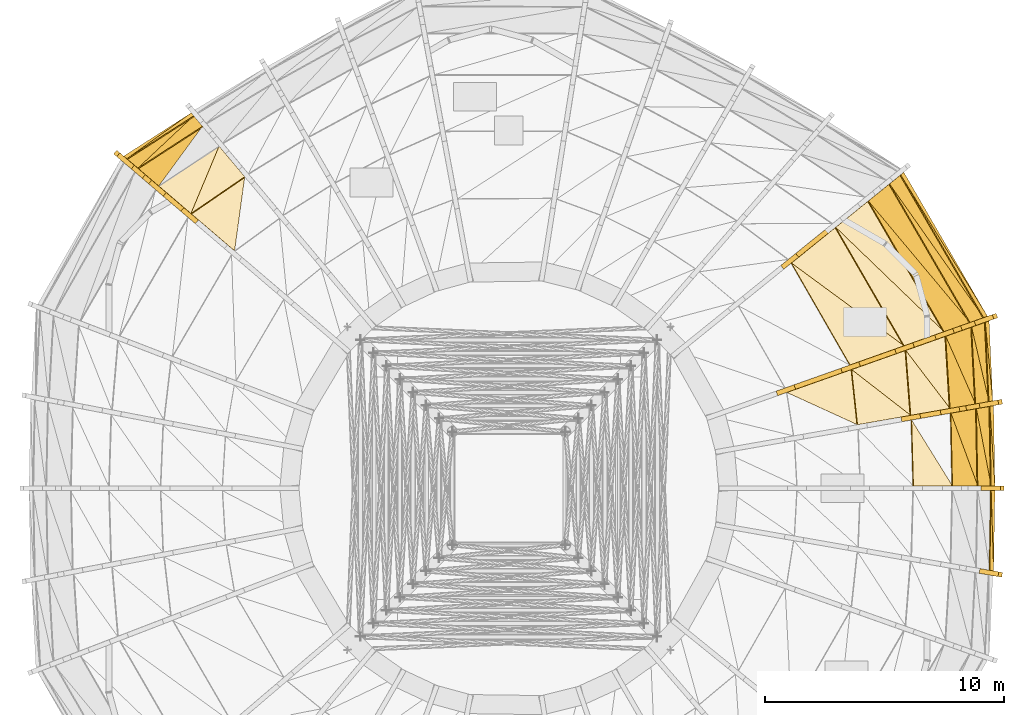
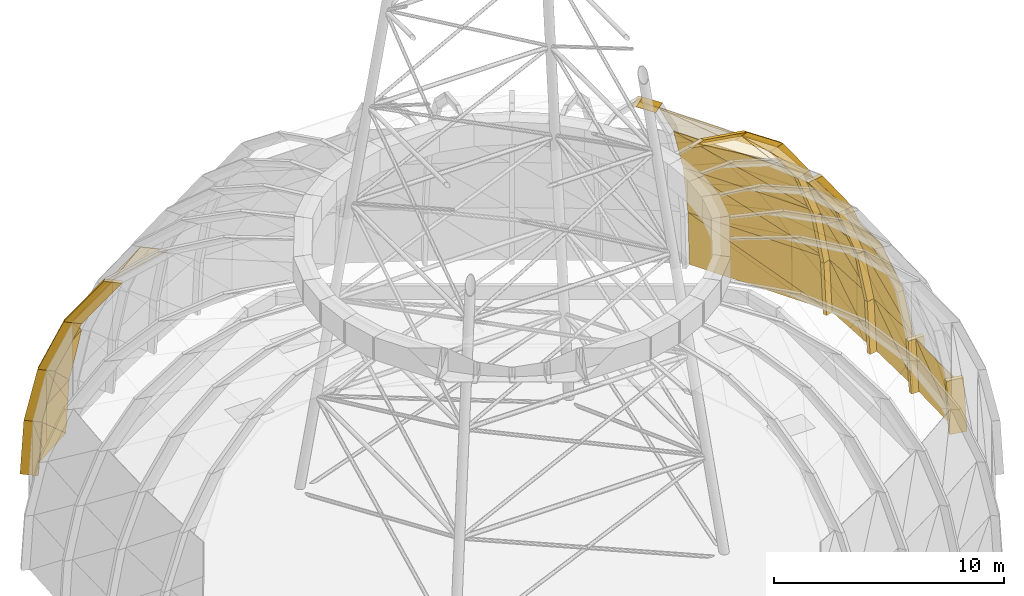
# One storey, part 24 of 27: 38 coverings, 17 shading devices.
"""IFC4 building model written with IfcOpenShell, lengths in metres."""

from ifc_helpers import new_model, si_unit, direction, frame, origin, place, context, subcontext, project, spatial, polyline, outline, extrude, material, layer, layer_set, type_object, element, save


model = new_model("IFC4")

# Units and contexts
model_context = context("Model", 3, precision=1e-05, world=origin(), true_north=direction((0.0, 1.0)))
body_context = subcontext(model_context, "Body", "Model", "MODEL_VIEW")
ifc_project = project(units=[si_unit("LENGTHUNIT", "METRE"), si_unit("AREAUNIT", "SQUARE_METRE"), si_unit("VOLUMEUNIT", "CUBIC_METRE"), si_unit("PLANEANGLEUNIT", "RADIAN"), si_unit("MASSUNIT", "GRAM", prefix="KILO")], contexts=[model_context])

# Site, building, storey
site_placement = place(None, origin())
site = spatial("IfcSite", under=ifc_project, at=site_placement, CompositionType="ELEMENT")
building_placement = place(site_placement, origin())
building = spatial("IfcBuilding", under=site, at=building_placement, Name="Ayvan Gate Tower", CompositionType="ELEMENT")
storey_placement = place(building_placement, frame((0.0, 0.0, 267.699951171875)))
storey = spatial("IfcBuildingStorey", under=building, at=storey_placement, Name="Roof", CompositionType="ELEMENT", Elevation=267.699951171875)

# Shading devices
ifc_material_1 = material(Name="Bronze anodised aluminium", Category="aluminium")
ifc_layer_1 = layer(ifc_material_1, 0.199951171875)
ifc_layer_set_1 = layer_set([ifc_layer_1], Name="Bronze anodised aluminium")
shading_device_type = type_object("IfcShadingDeviceType", Name="Crown frame rib 800 x 200", PredefinedType="USERDEFINED", material=ifc_layer_set_1)
shading_device_1_placement = place(storey_placement, frame((-15.828125, 13.65234375, 0.0), z_axis=(0.649471059891, 0.760386131665, 0.000522623568), x_axis=(-0.76038623553, 0.649471148564, 6.0635e-08)))
element("IfcShadingDevice", 1, at=shading_device_1_placement, inside=storey, type_object=shading_device_type, Name="CROWN FRAME rib FD01.3.5", ObjectType="FIN", PredefinedType="USERDEFINED", context=body_context, shape_type="SweptSolid", body=[
    extrude(outline(polyline([(0.0, 0.0), (0.8000383552451378, 0.0), (0.6302725094016904, 2.870117541248885), (-0.16992440813557705, 2.87011763827895), (0.0, 0.0)])), origin(), (0.0, 0.0, -1.0), 0.199951171875),
])
shading_device_2_placement = place(storey_placement, frame((-15.698974609375, 13.5419921875, 2.8701171875), z_axis=(0.649546415417, 0.760321773085, 0.000505560762), x_axis=(-0.760321870287, 0.649546498385, 1.08755e-07)))
element("IfcShadingDevice", 2, at=shading_device_2_placement, inside=storey, type_object=shading_device_type, Name="CROWN FRAME rib FD02.3.5", ObjectType="FIN", PredefinedType="USERDEFINED", context=body_context, shape_type="SweptSolid", body=[
    extrude(outline(polyline([(0.0, 0.0), (0.8000383421183912, 2.710505431213761e-20), (0.1937096857722982, 2.7768558025536763), (-0.6063016115775622, 2.7768559765678558), (0.0, 0.0)])), origin(), (0.0, 0.0, -1.0), 0.199951171875),
])
shading_device_3_placement = place(storey_placement, frame((-15.238037109375, 13.148193359375, 5.64697265625), z_axis=(0.649458157949, 0.760397086715, 0.000609580717), x_axis=(-0.760397227969, 0.649458278643, -6.042e-08)))
element("IfcShadingDevice", 3, at=shading_device_3_placement, inside=storey, type_object=shading_device_type, Name="CROWN FRAME rib FD03.3.5", ObjectType="FIN", PredefinedType="USERDEFINED", context=body_context, shape_type="SweptSolid", body=[
    extrude(outline(polyline([(0.0, 0.0), (0.7998527128470838, 2.710505431213761e-20), (-0.3507091571620341, 2.6601567230521437), (-1.1507475138636025, 2.6601566263863266), (0.0, 0.0)])), origin(), (0.0, 0.0, -1.0), 0.199951171875),
])
shading_device_4_placement = place(storey_placement, frame((-14.363037109375, 12.40087890625, 8.30712890625), z_axis=(0.649382736988, 0.760461363052, 0.000759083443), x_axis=(-0.760461582144, 0.649382924078, 0.0)))
element("IfcShadingDevice", 4, at=shading_device_4_placement, inside=storey, type_object=shading_device_type, Name="CROWN FRAME rib FD04.3.5", ObjectType="FIN", PredefinedType="USERDEFINED", context=body_context, shape_type="SweptSolid", body=[
    extrude(outline(polyline([(0.0, 0.0), (0.8000383606296664, 0.0), (-0.9746230205642124, 2.3798834981536645), (-1.7746613811938787, 2.3798834981536645), (0.0, 0.0)])), origin(), (0.0, 0.0, -1.0), 0.199951171875),
])
shading_device_5_placement = place(storey_placement, frame((19.874267578125, -3.590087890625, 0.0), z_axis=(-0.17270597385, -0.984973292557, 0.000509456844), x_axis=(0.98497342038, -0.172705996262, 0.0)))
element("IfcShadingDevice", 5, at=shading_device_5_placement, inside=storey, type_object=shading_device_type, Name="CROWN FRAME rib FD01.1.2", ObjectType="FIN", PredefinedType="USERDEFINED", context=body_context, shape_type="SweptSolid", body=[
    extrude(outline(polyline([(0.0, 0.0), (0.8001088366384407, 0.0), (0.6402272701638497, 2.870117559964186), (-0.15988156647459098, 2.870117559964186), (0.0, 0.0)])), origin(), (0.0, 0.0, -1.0), 0.199951171875),
])
shading_device_6_placement = place(storey_placement, frame((19.95849609375, -0.099853515625, 0.0), z_axis=(0.0, -0.999999869757, 0.000510377613), x_axis=(1.0, 0.0, 0.0)))
element("IfcShadingDevice", 6, at=shading_device_6_placement, inside=storey, type_object=shading_device_type, Name="CROWN FRAME rib FD01.1.3", ObjectType="FIN", PredefinedType="USERDEFINED", context=body_context, shape_type="SweptSolid", body=[
    extrude(outline(polyline([(0.0, 0.0), (0.800048828125, 0.0), (0.643310546875, 2.8701175613117527), (-0.15673828125, 2.8701175613117527), (0.0, 0.0)])), origin(), (0.0, 0.0, -1.0), 0.199951171875),
])
shading_device_7_placement = place(storey_placement, frame((19.908935546875, 3.393310546875, 0.0), z_axis=(0.172757894161, -0.984964177485, 0.0005282777), x_axis=(0.984964314925, 0.172757918267, 0.0)))
element("IfcShadingDevice", 7, at=shading_device_7_placement, inside=storey, type_object=shading_device_type, Name="CROWN FRAME rib FD01.1.4", ObjectType="FIN", PredefinedType="USERDEFINED", context=body_context, shape_type="SweptSolid", body=[
    extrude(outline(polyline([(0.0, 0.0), (0.7998683657233193, 0.0), (0.6400119094986507, 2.8701175879924015), (-0.15985645622466868, 2.8701175879924015), (0.0, 0.0)])), origin(), (0.0, 0.0, -1.0), 0.199951171875),
])
shading_device_8_placement = place(storey_placement, frame((19.75146484375, 3.36572265625, 2.8701171875), z_axis=(0.17287996163, -0.984942764627, 0.000518918575), x_axis=(0.984942897243, 0.172879984873, -6.431e-08)))
element("IfcShadingDevice", 8, at=shading_device_8_placement, inside=storey, type_object=shading_device_type, Name="CROWN FRAME rib FD02.1.4", ObjectType="FIN", PredefinedType="USERDEFINED", context=body_context, shape_type="SweptSolid", body=[
    extrude(outline(polyline([(0.0, 0.0), (0.7998683595807392, 0.0), (0.2290394043333216, 2.7768558573506144), (-0.5711116268494969, 2.776855754452912), (0.0, 0.0)])), origin(), (0.0, 0.0, -1.0), 0.199951171875),
])
shading_device_9_placement = place(storey_placement, frame((19.18896484375, 3.266845703125, 5.64697265625), z_axis=(0.172879959701, -0.984942753639, 0.000539988702), x_axis=(0.984942897231, 0.172879984942, 6.6898e-08)))
element("IfcShadingDevice", 9, at=shading_device_9_placement, inside=storey, type_object=shading_device_type, Name="CROWN FRAME rib FD03.1.4", ObjectType="FIN", PredefinedType="USERDEFINED", context=body_context, shape_type="SweptSolid", body=[
    extrude(outline(polyline([(0.0, 0.0), (0.8001510311828253, 2.710505431213761e-20), (-0.2835621302427329, 2.660156656804352), (-1.0834304898234648, 2.6601567638422776), (0.0, 0.0)])), origin(), (0.0, 0.0, -1.0), 0.199951171875),
])
shading_device_10_placement = place(storey_placement, frame((18.121826171875, 3.07958984375, 8.30712890625), z_axis=(0.172731927536, -0.984968721064, 0.000547480172), x_axis=(0.98496886868, 0.172731953415, -1.4428e-08)))
element("IfcShadingDevice", 10, at=shading_device_10_placement, inside=storey, type_object=shading_device_type, Name="CROWN FRAME rib FD04.1.4", ObjectType="FIN", PredefinedType="USERDEFINED", context=body_context, shape_type="SweptSolid", body=[
    extrude(outline(polyline([(0.0, 0.0), (0.8001088363606061, -1.3552527156068805e-20), (-0.8710217132789997, 2.379883156599636), (-1.6708900787244008, 2.3798831335153805), (0.0, 0.0)])), origin(), (0.0, 0.0, -1.0), 0.199951171875),
])
shading_device_11_placement = place(storey_placement, frame((19.7373046875, 6.88134765625, 0.0), z_axis=(0.33384144022, -0.942629075722, 0.000564264763), x_axis=(0.942629225786, 0.333841493367, 0.0)))
element("IfcShadingDevice", 11, at=shading_device_11_placement, inside=storey, type_object=shading_device_type, Name="CROWN FRAME rib FD01.1.5", ObjectType="FIN", PredefinedType="USERDEFINED", context=body_context, shape_type="SweptSolid", body=[
    extrude(outline(polyline([(0.0, 0.0), (0.8000498711419429, -2.710505431213761e-20), (0.6302016758127602, 2.870117644415192), (-0.16984819532918274, 2.870117644415192), (0.0, 0.0)])), origin(), (0.0, 0.0, -1.0), 0.199951171875),
])
shading_device_12_placement = place(storey_placement, frame((19.5771484375, 6.82470703125, 2.8701171875), z_axis=(0.333841440405, -0.942629076245, 0.000563281618), x_axis=(0.942629225786, 0.333841493367, 0.0)))
element("IfcShadingDevice", 12, at=shading_device_12_placement, inside=storey, type_object=shading_device_type, Name="CROWN FRAME rib FD02.1.5", ObjectType="FIN", PredefinedType="USERDEFINED", context=body_context, shape_type="SweptSolid", body=[
    extrude(outline(polyline([(0.0, 0.0), (0.8000498711419429, -2.710505431213761e-20), (0.19376768728980487, 2.7768559092790377), (-0.6062821838521381, 2.7768559092790377), (0.0, 0.0)])), origin(), (0.0, 0.0, -1.0), 0.199951171875),
])
shading_device_13_placement = place(storey_placement, frame((19.005615234375, 6.62255859375, 5.64697265625), z_axis=(0.333705864231, -0.942677105267, 0.000520943833), x_axis=(0.942677233193, 0.333705909475, -7.4936e-08)))
element("IfcShadingDevice", 13, at=shading_device_13_placement, inside=storey, type_object=shading_device_type, Name="CROWN FRAME rib FD03.1.5", ObjectType="FIN", PredefinedType="USERDEFINED", context=body_context, shape_type="SweptSolid", body=[
    extrude(outline(polyline([(0.0, 0.0), (0.7999683916970382, 2.710505431213761e-20), (-0.3506952504407617, 2.6601565846802386), (-1.1507451133071054, 2.660156464781094), (0.0, 0.0)])), origin(), (0.0, 0.0, -1.0), 0.199951171875),
])
shading_device_14_placement = place(storey_placement, frame((17.9208984375, 6.238525390625, 8.30712890625), z_axis=(0.333570262874, -0.942725107061, 0.00050223868), x_axis=(0.942725225959, 0.333570304944, 0.0)))
element("IfcShadingDevice", 14, at=shading_device_14_placement, inside=storey, type_object=shading_device_type, Name="CROWN FRAME rib FD04.1.5", ObjectType="FIN", PredefinedType="USERDEFINED", context=body_context, shape_type="SweptSolid", body=[
    extrude(outline(polyline([(0.0, 0.0), (0.7999683999734714, 2.710505431213761e-20), (-0.9746113941397849, 2.3798831126552704), (-1.7745797941132564, 2.3798831126552704), (0.0, 0.0)])), origin(), (0.0, 0.0, -1.0), 0.199951171875),
])
shading_device_15_placement = place(storey_placement, frame((16.248046875, 5.646240234375, 10.68701171875), z_axis=(0.333570249809, -0.942725070138, 0.000574957337), x_axis=(0.942725225959, 0.333570304944, 0.0)))
element("IfcShadingDevice", 15, at=shading_device_15_placement, inside=storey, type_object=shading_device_type, Name="CROWN FRAME rib FD05.1.5", ObjectType="FIN", PredefinedType="USERDEFINED", context=body_context, shape_type="SweptSolid", body=[
    extrude(outline(polyline([(0.0, 0.0), (0.7999683999734712, 0.0), (-1.6037007584235754, 1.8659671052969398), (-2.4036691583970464, 1.8659671052969398), (0.0, 0.0)])), origin(), (0.0, 0.0, -1.0), 0.199951171875),
])
shading_device_16_placement = place(storey_placement, frame((13.982177734375, 4.843994140625, 12.552978515625), z_axis=(0.333705613699, -0.942676397544, 0.001331502545), x_axis=(0.942677233266, 0.333705909272, -1.91532e-07)))
element("IfcShadingDevice", 16, at=shading_device_16_placement, inside=storey, type_object=shading_device_type, Name="CROWN FRAME rib FD06.1.5", ObjectType="FIN", PredefinedType="USERDEFINED", context=body_context, shape_type="SweptSolid", body=[
    extrude(outline(polyline([(0.0, 0.0), (0.7999683916970507, 0.0), (-2.077579478844798, 1.1201177825048954), (-2.8776293417111045, 1.1201174760495607), (0.0, 0.0)])), origin(), (0.0, 0.0, -1.0), 0.199951171875),
])
shading_device_17_placement = place(storey_placement, frame((13.37890625, 10.68212890625, 10.68701171875), z_axis=(0.628557027402, -0.777763040217, 0.000846508653), x_axis=(0.77776331888, 0.628557252606, 0.0)))
element("IfcShadingDevice", 17, at=shading_device_17_placement, inside=storey, type_object=shading_device_type, Name="CROWN FRAME rib FD05.2.1", ObjectType="FIN", PredefinedType="USERDEFINED", context=body_context, shape_type="SweptSolid", body=[
    extrude(outline(polyline([(0.0, 0.0), (0.8001334570789522, -5.421010862427522e-20), (-1.5804702242262874, 1.8659674654297103), (-2.3806036813052396, 1.8659674654297103), (0.0, 0.0)])), origin(), (0.0, 0.0, -1.0), 0.199951171875),
])

# Coverings
ifc_material_2 = material(Name="Pale metal cladding")
ifc_layer_2 = layer(ifc_material_2, 0.0400390625)
ifc_layer_set_2 = layer_set([ifc_layer_2], Name="Pale metal cladding")
covering_type = type_object("IfcCoveringType", Name="Dome cladding panel 40", PredefinedType="CLADDING", material=ifc_layer_set_2)
covering_1_placement = place(storey_placement, frame((20.32275390625, -3.46240234375, 0.0009765625), z_axis=(0.998380396887, -0.016528516591, 0.054437039333), x_axis=(0.016553061387, 0.999862988693, 0.0)))
element("IfcCovering", 18, at=covering_1_placement, inside=storey, type_object=covering_type, Name="Dome cladding panel 15.1A", PredefinedType="CLADDING", context=body_context, shape_type="SweptSolid", body=[
    extrude(outline(polyline([(0.0, 0.0), (3.3627654243848886, 0.0), (3.3601749672684136, 2.8743793026608015), (0.0, 0.0)])), origin(), (0.0, 0.0, -1.0), 0.0400390625),
])
covering_2_placement = place(storey_placement, frame((20.32275390625, -3.46240234375, 0.001220703125), z_axis=(0.998345778374, -0.016957040822, 0.054937833673), x_axis=(-0.022802647162, 0.760382703916, 0.649074866921)))
element("IfcCovering", 19, at=covering_2_placement, inside=storey, type_object=covering_type, Name="Dome cladding panel 15.1B", PredefinedType="CLADDING", context=body_context, shape_type="SweptSolid", body=[
    extrude(outline(polyline([(0.0, 0.0), (4.421858453888148, 0.0), (1.8874890352741263, 2.168067325005079), (0.0, 0.0)])), origin(), (0.0, 0.0, -1.0), 0.0400390625),
])
covering_3_placement = place(storey_placement, frame((20.37841796875, 0.100341796875, 0.001220703125), z_axis=(0.998353176941, 0.016528065956, 0.054934116245), x_axis=(-0.016553061387, 0.999862988693, 0.0)))
element("IfcCovering", 20, at=covering_3_placement, inside=storey, type_object=covering_type, Name="Dome cladding panel 16.1A", PredefinedType="CLADDING", context=body_context, shape_type="SweptSolid", body=[
    extrude(outline(polyline([(0.0, 0.0), (3.3627654243848886, 0.0), (3.337787935828317, 2.8744576721705504), (0.0, 0.0)])), origin(), (0.0, 0.0, -1.0), 0.0400390625),
])
covering_4_placement = place(storey_placement, frame((20.37841796875, 0.100341796875, 0.0009765625), z_axis=(0.998373223943, 0.016957506988, 0.054436648226), x_axis=(-0.048385596833, 0.757043375879, 0.651570534214)))
element("IfcCovering", 21, at=covering_4_placement, inside=storey, type_object=covering_type, Name="Dome cladding panel 16.1B", PredefinedType="CLADDING", context=body_context, shape_type="SweptSolid", body=[
    extrude(outline(polyline([(0.0, 0.0), (4.404921703465476, 0.0), (1.877655851512578, 2.1763436285002062), (0.0, 0.0)])), origin(), (0.0, 0.0, -1.0), 0.0400390625),
])
covering_5_placement = place(storey_placement, frame((20.221435546875, 0.100341796875, 2.8740234375), z_axis=(0.979859681637, 0.016643051917, 0.198992495146), x_axis=(-0.016982688471, 0.999855783747, 0.0)))
element("IfcCovering", 22, at=covering_5_placement, inside=storey, type_object=covering_type, Name="Dome cladding panel 16.2A", PredefinedType="CLADDING", context=body_context, shape_type="SweptSolid", body=[
    extrude(outline(polyline([(0.0, 0.0), (3.335197786602865, 0.0), (3.24612781465843, 2.833523057525345), (0.0, 0.0)])), origin(), (0.0, 0.0, -1.0), 0.0400390625),
])
covering_6_placement = place(storey_placement, frame((20.221435546875, 0.100341796875, 2.8740234375), z_axis=(0.98016702809, 0.018117006555, 0.197343282427), x_axis=(-0.143633756408, 0.751031732225, 0.644453785163)))
element("IfcCovering", 23, at=covering_6_placement, inside=storey, type_object=covering_type, Name="Dome cladding panel 16.2B", PredefinedType="CLADDING", context=body_context, shape_type="SweptSolid", body=[
    extrude(outline(polyline([(0.0, 0.0), (4.308851204976437, 4.440892098500626e-16), (1.869858069974524, 2.1277052921268393), (0.0, 0.0)])), origin(), (0.0, 0.0, -1.0), 0.0400390625),
])
covering_7_placement = place(storey_placement, frame((19.661376953125, 0.100341796875, 5.654541015625), z_axis=(0.9275515807, 0.01714448414, 0.373301663276), x_axis=(-0.01848043451, 0.999829222188, 0.0)))
element("IfcCovering", 24, at=covering_7_placement, inside=storey, type_object=covering_type, Name="Dome cladding panel 16.3A", PredefinedType="CLADDING", context=body_context, shape_type="SweptSolid", body=[
    extrude(outline(polyline([(0.0, 0.0), (3.2366367301152312, 0.0), (3.068889937294203, 2.867443719225098), (0.0, 0.0)])), origin(), (0.0, 0.0, -1.0), 0.0400390625),
])
covering_8_placement = place(storey_placement, frame((19.661376953125, 0.1005859375, 5.654296875), z_axis=(0.928653471602, 0.020079797977, 0.37040455099), x_axis=(-0.268319747027, 0.72584676801, 0.633364810141)))
element("IfcCovering", 25, at=covering_8_placement, inside=storey, type_object=covering_type, Name="Dome cladding panel 16.3B", PredefinedType="CLADDING", context=body_context, shape_type="SweptSolid", body=[
    extrude(outline(polyline([(0.0, 0.0), (4.2000379677032775, 4.440892098500626e-16), (1.9695460429393128, 2.0792102495790608), (0.0, 0.0)])), origin(), (0.0, 0.0, -1.0), 0.0400390625),
])
covering_9_placement = place(storey_placement, frame((18.59814453125, 0.1005859375, 8.318359375), z_axis=(0.823821731058, 0.022592421853, 0.56639856807), x_axis=(-0.425186785841, 0.685440876662, 0.591089673186)))
element("IfcCovering", 26, at=covering_9_placement, inside=storey, type_object=covering_type, Name="Dome cladding panel 16.4B", PredefinedType="CLADDING", context=body_context, shape_type="SweptSolid", body=[
    extrude(outline(polyline([(0.0, 0.0), (4.026263561113431, 2.220446049250313e-16), (2.102427727765565, 1.980123732906931), (0.0, 0.0)])), origin(), (0.0, 0.0, -1.0), 0.0400390625),
])
covering_10_placement = place(storey_placement, frame((20.288330078125, 3.660400390625, 0.001220703125), z_axis=(0.997353594636, 0.045789443991, 0.056472418807), x_axis=(-0.045862633434, 0.998947755818, 0.0)))
element("IfcCovering", 27, at=covering_10_placement, inside=storey, type_object=covering_type, Name="Dome cladding panel 17.1A", PredefinedType="CLADDING", context=body_context, shape_type="SweptSolid", body=[
    extrude(outline(polyline([(0.0, 0.0), (3.3590032416172177, 0.0), (3.3097562068392956, 2.874704757479217), (0.0, 0.0)])), origin(), (0.0, 0.0, -1.0), 0.0400390625),
])
covering_11_placement = place(storey_placement, frame((20.288330078125, 3.660400390625, 0.001220703125), z_axis=(0.997373695452, 0.046922314773, 0.055172529358), x_axis=(-0.071618010579, 0.752490325768, 0.65469777011)))
element("IfcCovering", 28, at=covering_11_placement, inside=storey, type_object=covering_type, Name="Dome cladding panel 17.1B", PredefinedType="CLADDING", context=body_context, shape_type="SweptSolid", body=[
    extrude(outline(polyline([(0.0, 0.0), (4.383881110544045, 0.0), (1.8695774402888508, 2.183531767297586), (0.0, 0.0)])), origin(), (0.0, 0.0, -1.0), 0.0400390625),
])
covering_12_placement = place(storey_placement, frame((20.13037109375, 3.6328125, 2.874267578125), z_axis=(0.97776492896, 0.045999803263, 0.204596583049), x_axis=(-0.046993894182, 0.998895176637, 0.0)))
element("IfcCovering", 29, at=covering_12_placement, inside=storey, type_object=covering_type, Name="Dome cladding panel 17.2A", PredefinedType="CLADDING", context=body_context, shape_type="SweptSolid", body=[
    extrude(outline(polyline([(0.0, 0.0), (3.3300951825820917, 0.0), (3.154784783374744, 2.8368654385097205), (0.0, 0.0)])), origin(), (0.0, 0.0, -1.0), 0.0400390625),
])
covering_13_placement = place(storey_placement, frame((20.13037109375, 3.6328125, 2.8740234375), z_axis=(0.978505635628, 0.050255800391, 0.200002688909), x_axis=(-0.171595438159, 0.73632972055, 0.654502519657)))
element("IfcCovering", 30, at=covering_13_placement, inside=storey, type_object=covering_type, Name="Dome cladding panel 17.2B", PredefinedType="CLADDING", context=body_context, shape_type="SweptSolid", body=[
    extrude(outline(polyline([(0.0, 0.0), (4.242696376789621, 0.0), (1.8411752957221839, 2.155732526685163), (0.0, 0.0)])), origin(), (0.0, 0.0, -1.0), 0.0400390625),
])
covering_14_placement = place(storey_placement, frame((19.56689453125, 3.533935546875, 5.654541015625), z_axis=(0.9225267678, 0.047380739987, 0.383013613559), x_axis=(-0.051292140222, 0.998683691842, 0.0)))
element("IfcCovering", 31, at=covering_14_placement, inside=storey, type_object=covering_type, Name="Dome cladding panel 17.3A", PredefinedType="CLADDING", context=body_context, shape_type="SweptSolid", body=[
    extrude(outline(polyline([(0.0, 0.0), (3.227148312275051, 0.0), (2.899258061234547, 2.8797588941110797), (0.0, 0.0)])), origin(), (0.0, 0.0, -1.0), 0.0400390625),
])
covering_15_placement = place(storey_placement, frame((19.56689453125, 3.5341796875, 5.654541015625), z_axis=(0.925282335853, 0.055987232908, 0.375124017773), x_axis=(-0.305952062249, 0.694710130802, 0.650977088512)))
element("IfcCovering", 32, at=covering_15_placement, inside=storey, type_object=covering_type, Name="Dome cladding panel 17.3B", PredefinedType="CLADDING", context=body_context, shape_type="SweptSolid", body=[
    extrude(outline(polyline([(0.0, 0.0), (4.086405338906723, -2.220446049250313e-16), (1.928105505417453, 2.12901153972316), (0.0, 0.0)])), origin(), (0.0, 0.0, -1.0), 0.0400390625),
])
covering_16_placement = place(storey_placement, frame((18.497314453125, 3.3466796875, 8.31884765625), z_axis=(0.811298279259, 0.049090254897, 0.582567806307), x_axis=(-0.060397804729, 0.998174386159, 0.0)))
element("IfcCovering", 33, at=covering_16_placement, inside=storey, type_object=covering_type, Name="Dome cladding panel 17.4A", PredefinedType="CLADDING", context=body_context, shape_type="SweptSolid", body=[
    extrude(outline(polyline([(0.0, 0.0), (3.031657683102462, 0.0), (2.5417488133207473, 2.928069892700605), (0.0, 0.0)])), origin(), (0.0, 0.0, -1.0), 0.0400390625),
])
covering_17_placement = place(storey_placement, frame((18.49755859375, 3.346923828125, 8.318603515625), z_axis=(0.81724801545, 0.063163972861, 0.572814100538), x_axis=(-0.478725552839, 0.627764535289, 0.613786227683)))
element("IfcCovering", 34, at=covering_17_placement, inside=storey, type_object=covering_type, Name="Dome cladding panel 17.4B", PredefinedType="CLADDING", context=body_context, shape_type="SweptSolid", body=[
    extrude(outline(polyline([(0.0, 0.0), (3.8773806011993663, 2.220446049250313e-16), (2.067292884250226, 2.045008036142673), (0.0, 0.0)])), origin(), (0.0, 0.0, -1.0), 0.0400390625),
])
covering_18_placement = place(storey_placement, frame((16.847900390625, 3.057861328125, 10.70263671875), z_axis=(0.62471493792, 0.048283356629, 0.77935868752), x_axis=(-0.077058807993, 0.997026549351, 0.0)))
element("IfcCovering", 35, at=covering_18_placement, inside=storey, type_object=covering_type, Name="Dome cladding panel 17.5A", PredefinedType="CLADDING", context=body_context, shape_type="SweptSolid", body=[
    extrude(outline(polyline([(0.0, 0.0), (2.7310209466311797, 0.0), (2.1057654670928905, 2.9780277751762325), (0.0, 0.0)])), origin(), (0.0, 0.0, -1.0), 0.0400390625),
])
covering_19_placement = place(storey_placement, frame((16.84814453125, 3.058349609375, 10.702392578125), z_axis=(0.633343259565, 0.067614576074, 0.77091152843), x_axis=(-0.67894305927, 0.526594207559, 0.511600295968)))
element("IfcCovering", 36, at=covering_19_placement, inside=storey, type_object=covering_type, Name="Dome cladding panel 17.5B", PredefinedType="CLADDING", context=body_context, shape_type="SweptSolid", body=[
    extrude(outline(polyline([(0.0, 0.0), (3.6473137556456585, 0.0), (2.262240860501608, 1.8675905391431695), (0.0, 0.0)])), origin(), (0.0, 0.0, -1.0), 0.0400390625),
])
covering_20_placement = place(storey_placement, frame((14.61328125, 2.666259765625, 12.571533203125), z_axis=(0.369435504852, 0.039440263506, 0.928419018208), x_axis=(-0.106154957192, 0.994349599016, 0.0)))
element("IfcCovering", 37, at=covering_20_placement, inside=storey, type_object=covering_type, Name="Dome cladding panel 17.6A", PredefinedType="CLADDING", context=body_context, shape_type="SweptSolid", body=[
    extrude(outline(polyline([(0.0, 0.0), (2.3251497471689424, 0.0), (1.6580624063169156, 3.014837668861436), (0.0, 0.0)])), origin(), (0.0, 0.0, -1.0), 0.0400390625),
])
covering_21_placement = place(storey_placement, frame((20.06494140625, 7.21337890625, 0.001220703125), z_axis=(0.863193432653, 0.501550448549, 0.057829450844), x_axis=(-0.502391211813, 0.864640428324, 0.0)))
element("IfcCovering", 38, at=covering_21_placement, inside=storey, type_object=covering_type, Name="Dome cladding panel 18.1A", PredefinedType="CLADDING", context=body_context, shape_type="SweptSolid", body=[
    extrude(outline(polyline([(0.0, 0.0), (6.978831303543279, 2.7755575615628914e-17), (6.95317026449719, 2.874928446470915), (0.0, 0.0)])), origin(), (0.0, 0.0, -1.0), 0.0400390625),
])
covering_22_placement = place(storey_placement, frame((20.06494140625, 7.21337890625, 0.001220703125), z_axis=(0.863230694788, 0.501459038323, 0.058065484235), x_axis=(-0.483376380216, 0.787932378383, 0.381457523382)))
element("IfcCovering", 39, at=covering_22_placement, inside=storey, type_object=covering_type, Name="Dome cladding panel 18.1B", PredefinedType="CLADDING", context=body_context, shape_type="SweptSolid", body=[
    extrude(outline(polyline([(0.0, 0.0), (7.524080694637425, 0.0), (1.1276145601833778, 2.6447903997216513), (0.0, 0.0)])), origin(), (0.0, 0.0, -1.0), 0.0400390625),
])
covering_23_placement = place(storey_placement, frame((19.904296875, 7.156494140625, 2.874267578125), z_axis=(0.845595517981, 0.491214593986, 0.208989096905), x_axis=(-0.50230654177, 0.864689619514, 0.0)))
element("IfcCovering", 40, at=covering_23_placement, inside=storey, type_object=covering_type, Name="Dome cladding panel 18.2A", PredefinedType="CLADDING", context=body_context, shape_type="SweptSolid", body=[
    extrude(outline(polyline([(0.0, 0.0), (6.921682979426124, -1.1102230246251565e-16), (6.829911070890487, 2.8395586869368485), (0.0, 0.0)])), origin(), (0.0, 0.0, -1.0), 0.0400390625),
])
covering_24_placement = place(storey_placement, frame((19.904296875, 7.156494140625, 2.874267578125), z_axis=(0.845617866657, 0.490840004712, 0.209777294685), x_axis=(-0.533192070678, 0.758133506958, 0.37541950055)))
element("IfcCovering", 41, at=covering_24_placement, inside=storey, type_object=covering_type, Name="Dome cladding panel 18.2B", PredefinedType="CLADDING", context=body_context, shape_type="SweptSolid", body=[
    extrude(outline(polyline([(0.0, 0.0), (7.3966734937288505, 0.0), (1.1939671613661833, 2.5793183023744812), (0.0, 0.0)])), origin(), (0.0, 0.0, -1.0), 0.0400390625),
])
covering_25_placement = place(storey_placement, frame((19.331787109375, 6.953857421875, 5.65478515625), z_axis=(0.796421060317, 0.46228365366, 0.389881159127), x_axis=(-0.502010134762, 0.864861737271, 0.0)))
element("IfcCovering", 42, at=covering_25_placement, inside=storey, type_object=covering_type, Name="Dome cladding panel 18.3A", PredefinedType="CLADDING", context=body_context, shape_type="SweptSolid", body=[
    extrude(outline(polyline([(0.0, 0.0), (6.71762225422775, 0.0), (6.543133597530055, 2.8887575560514867), (0.0, 0.0)])), origin(), (0.0, 0.0, -1.0), 0.0400390625),
])
covering_26_placement = place(storey_placement, frame((19.331787109375, 6.953857421875, 5.65478515625), z_axis=(0.796243155616, 0.461399414609, 0.39128942911), x_axis=(-0.595430941995, 0.712134587414, 0.371922468699)))
element("IfcCovering", 43, at=covering_26_placement, inside=storey, type_object=covering_type, Name="Dome cladding panel 18.3B", PredefinedType="CLADDING", context=body_context, shape_type="SweptSolid", body=[
    extrude(outline(polyline([(0.0, 0.0), (7.152448356525977, 0.0), (1.3617624971254465, 2.5585398582711076), (0.0, 0.0)])), origin(), (0.0, 0.0, -1.0), 0.0400390625),
])
covering_27_placement = place(storey_placement, frame((18.2451171875, 6.568603515625, 8.31884765625), z_axis=(0.698950919702, 0.405021434616, 0.589427900043), x_axis=(-0.501375230419, 0.865229956903, 0.0)))
element("IfcCovering", 44, at=covering_27_placement, inside=storey, type_object=covering_type, Name="Dome cladding panel 18.4A", PredefinedType="CLADDING", context=body_context, shape_type="SweptSolid", body=[
    extrude(outline(polyline([(0.0, 0.0), (6.330732100525436, 0.0), (6.060443914512502, 2.94605221232121), (0.0, 0.0)])), origin(), (0.0, 0.0, -1.0), 0.0400390625),
])
covering_28_placement = place(storey_placement, frame((18.2451171875, 6.568603515625, 8.31884765625), z_axis=(0.698342162596, 0.403388913668, 0.591266106141), x_axis=(-0.673885068133, 0.648958566688, 0.35317374431)))
element("IfcCovering", 45, at=covering_28_placement, inside=storey, type_object=covering_type, Name="Dome cladding panel 18.4B", PredefinedType="CLADDING", context=body_context, shape_type="SweptSolid", body=[
    extrude(outline(polyline([(0.0, 0.0), (6.738560979814186, 2.220446049250313e-16), (1.5834532870098554, 2.511125633169988), (0.0, 0.0)])), origin(), (0.0, 0.0, -1.0), 0.0400390625),
])
covering_29_placement = place(storey_placement, frame((16.569091796875, 5.974365234375, 10.70263671875), z_axis=(0.538186157923, 0.310876732387, 0.783397291724), x_axis=(-0.500186799235, 0.865917528331, 0.0)))
element("IfcCovering", 46, at=covering_29_placement, inside=storey, type_object=covering_type, Name="Dome cladding panel 18.5A", PredefinedType="CLADDING", context=body_context, shape_type="SweptSolid", body=[
    extrude(outline(polyline([(0.0, 0.0), (5.734185841945982, 0.0), (5.364729870523378, 3.002257365617253), (0.0, 0.0)])), origin(), (0.0, 0.0, -1.0), 0.0400390625),
])
covering_30_placement = place(storey_placement, frame((16.569091796875, 5.974365234375, 10.70263671875), z_axis=(0.537165926226, 0.308636289821, 0.78498178852), x_axis=(-0.767765489124, 0.564277651423, 0.303524110763)))
element("IfcCovering", 47, at=covering_30_placement, inside=storey, type_object=covering_type, Name="Dome cladding panel 18.5B", PredefinedType="CLADDING", context=body_context, shape_type="SweptSolid", body=[
    extrude(outline(polyline([(0.0, 0.0), (6.147672394743302, -6.661338147750939e-16), (1.8533325001327876, 2.4134524002692306), (0.0, 0.0)])), origin(), (0.0, 0.0, -1.0), 0.0400390625),
])
covering_31_placement = place(storey_placement, frame((-13.31396484375, 15.739990234375, 0.001220703125), z_axis=(-0.538277515818, 0.840868138758, 0.056551650611), x_axis=(-0.842215958106, -0.539140315605, 0.0)))
element("IfcCovering", 48, at=covering_31_placement, inside=storey, type_object=covering_type, Name="Dome cladding panel 27.1A", PredefinedType="CLADDING", context=body_context, shape_type="SweptSolid", body=[
    extrude(outline(polyline([(0.0, 0.0), (3.3591165487540624, -1.3877787807814457e-17), (3.309839005007791, 2.874717670382611), (0.0, 0.0)])), origin(), (0.0, 0.0, -1.0), 0.0400390625),
])
covering_32_placement = place(storey_placement, frame((-13.31396484375, 15.739990234375, 0.001220703125), z_axis=(-0.539346215722, 0.840276222892, 0.055150057375), x_axis=(-0.615871505145, -0.438277307667, 0.654687170131)))
element("IfcCovering", 49, at=covering_32_placement, inside=storey, type_object=covering_type, Name="Dome cladding panel 27.1B", PredefinedType="CLADDING", context=body_context, shape_type="SweptSolid", body=[
    extrude(outline(polyline([(0.0, 0.0), (4.383952089551275, 0.0), (1.8695926631720856, 2.1835134100885143), (0.0, 0.0)])), origin(), (0.0, 0.0, -1.0), 0.0400390625),
])
covering_33_placement = place(storey_placement, frame((-13.211181640625, 15.616943359375, 2.874267578125), z_axis=(-0.528742748196, 0.823756515547, 0.20458814561), x_axis=(-0.841557007469, -0.540168310047, 0.0)))
element("IfcCovering", 50, at=covering_33_placement, inside=storey, type_object=covering_type, Name="Dome cladding panel 27.2A", PredefinedType="CLADDING", context=body_context, shape_type="SweptSolid", body=[
    extrude(outline(polyline([(0.0, 0.0), (3.3301252434492996, -5.551115123125783e-17), (3.154937707805847, 2.8368603274783957), (0.0, 0.0)])), origin(), (0.0, 0.0, -1.0), 0.0400390625),
])
covering_34_placement = place(storey_placement, frame((-13.21142578125, 15.616943359375, 2.8740234375), z_axis=(-0.532808900423, 0.822266156426, 0.199982608309), x_axis=(-0.551887680792, -0.51678691077, 0.6544855053)))
element("IfcCovering", 51, at=covering_34_placement, inside=storey, type_object=covering_type, Name="Dome cladding panel 27.2B", PredefinedType="CLADDING", context=body_context, shape_type="SweptSolid", body=[
    extrude(outline(polyline([(0.0, 0.0), (4.242806672210748, -4.440892098500626e-16), (1.8412553153655498, 2.1556422262630397), (0.0, 0.0)])), origin(), (0.0, 0.0, -1.0), 0.0400390625),
])
covering_35_placement = place(storey_placement, frame((-12.843994140625, 15.178466796875, 5.654541015625), z_axis=(-0.502326045637, 0.775222986123, 0.383011573796), x_axis=(-0.83921884109, -0.543793836632, 0.0)))
element("IfcCovering", 52, at=covering_35_placement, inside=storey, type_object=covering_type, Name="Dome cladding panel 27.3A", PredefinedType="CLADDING", context=body_context, shape_type="SweptSolid", body=[
    extrude(outline(polyline([(0.0, 0.0), (3.2271105229312007, -1.1102230246251565e-16), (2.899179030612418, 2.8797562574997833), (0.0, 0.0)])), origin(), (0.0, 0.0, -1.0), 0.0400390625),
])
covering_36_placement = place(storey_placement, frame((-12.147216796875, 14.345947265625, 8.31884765625), z_axis=(-0.448192833613, 0.678082308076, 0.582518297887), x_axis=(-0.8342367555, -0.551406416151, 0.0)))
element("IfcCovering", 53, at=covering_36_placement, inside=storey, type_object=covering_type, Name="Dome cladding panel 27.4A", PredefinedType="CLADDING", context=body_context, shape_type="SweptSolid", body=[
    extrude(outline(polyline([(0.0, 0.0), (3.031576728909309, 0.0), (2.54143101186834, 2.927942068869292), (0.0, 0.0)])), origin(), (0.0, 0.0, -1.0), 0.0400390625),
])
covering_37_placement = place(storey_placement, frame((-12.1474609375, 14.345703125, 8.318603515625), z_axis=(-0.463263279857, 0.67620903931, 0.572824989584), x_axis=(-0.304272492216, -0.728440436662, 0.613834489677)))
element("IfcCovering", 54, at=covering_37_placement, inside=storey, type_object=covering_type, Name="Dome cladding panel 27.4B", PredefinedType="CLADDING", context=body_context, shape_type="SweptSolid", body=[
    extrude(outline(polyline([(0.0, 0.0), (3.8770757468407453, 2.220446049250313e-16), (2.067254702225889, 2.0451160286406984), (0.0, 0.0)])), origin(), (0.0, 0.0, -1.0), 0.0400390625),
])
covering_38_placement = place(storey_placement, frame((-11.072021484375, 13.061767578125, 10.70263671875), z_axis=(-0.354128207239, 0.516908430307, 0.779357997018), x_axis=(-0.824969423465, -0.56517736185, 0.0)))
element("IfcCovering", 55, at=covering_38_placement, inside=storey, type_object=covering_type, Name="Dome cladding panel 27.5A", PredefinedType="CLADDING", context=body_context, shape_type="SweptSolid", body=[
    extrude(outline(polyline([(0.0, 0.0), (2.7309250784549017, 1.1102230246251565e-16), (2.1055803824017945, 2.978023693111248), (0.0, 0.0)])), origin(), (0.0, 0.0, -1.0), 0.0400390625),
])

save(model, "model.ifc")
